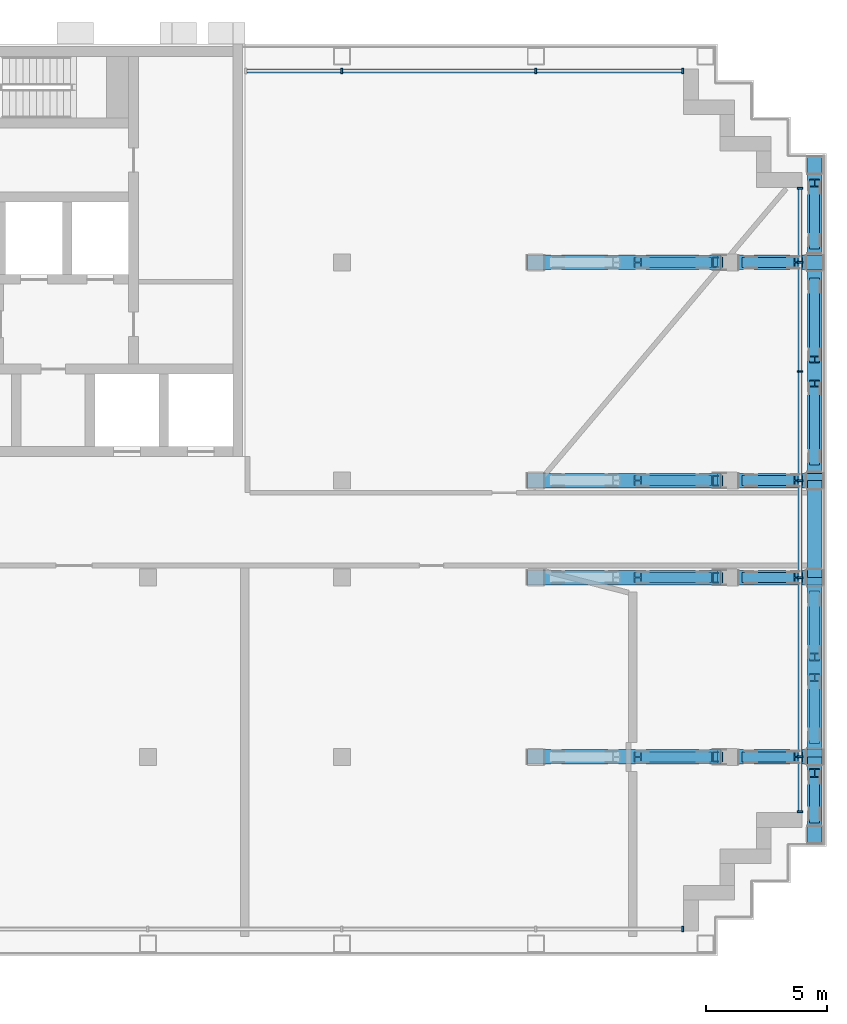
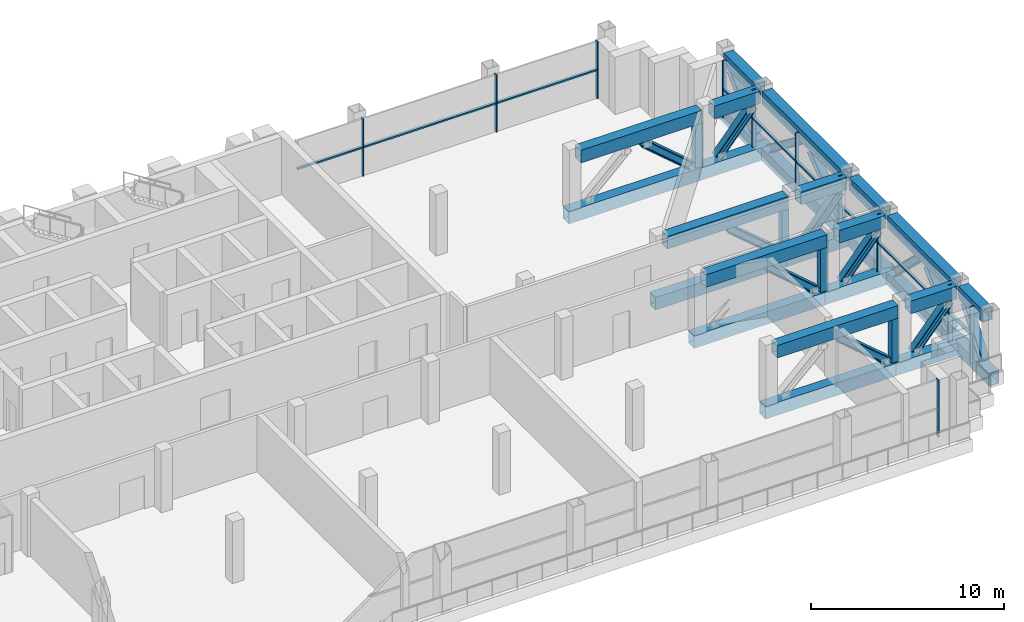
# One storey, part 5 of 21: 64 members, 3 elements without a shape of their own.
"""IFC4 building model written with IfcOpenShell, lengths in metres."""

import ifcopenshell
import ifcopenshell.guid

model = None  # the IFC model being written
_history = None  # IfcOwnerHistory: only IFC2X3 demands one
_inside = {}  # id of a spatial element -> (the spatial element, [elements in it])
_under = {}  # id of a project, library or spatial element -> (it, [spatial elements below it])
_declared = {}  # id of a project -> (the project, [libraries it declares])
_typed = {}  # id of a type object -> (the type object, [elements of that type])
_made_of = {}  # id of a material, layer set ... -> (it, [elements and type objects made of it])


def new_model(schema):
    """Start an empty IFC model of exactly this schema.

    Asked for "IFC4X3", IfcOpenShell would pick the latest addendum, in which some entities
    have other attributes; the version numbers below select the first issue.
    IFC2X3 requires an IfcOwnerHistory on every rooted entity: one is made here for all.
    """
    global model, _history
    if schema == "IFC4X3":
        model = ifcopenshell.file(schema_version=(4, 3, 0, 0))
    else:
        model = ifcopenshell.file(schema=schema)
    _inside.clear()
    _under.clear()
    _declared.clear()
    _typed.clear()
    _made_of.clear()
    _history = None
    if model.schema == "IFC2X3":
        org = make("IfcOrganization", Name="unknown")
        user = make(
            "IfcPersonAndOrganization",
            ThePerson=make("IfcPerson", FamilyName="unknown"),
            TheOrganization=org,
        )
        app = make(
            "IfcApplication",
            ApplicationDeveloper=org,
            Version="unknown",
            ApplicationFullName="unknown",
            ApplicationIdentifier="unknown",
        )
        _history = make(
            "IfcOwnerHistory",
            OwningUser=user,
            OwningApplication=app,
            ChangeAction="ADDED",
            CreationDate=0,
        )
    return model


def make(cls, **values):
    """One entity of the class cls with the attributes given. An attribute that is None is left unset."""
    return model.create_entity(
        cls, **{name: value for name, value in values.items() if value is not None}
    )


def rooted(cls, **values):
    """An entity with a GlobalId (a new one), such as an element, a storey or a relation."""
    return make(cls, GlobalId=ifcopenshell.guid.new(), OwnerHistory=_history, **values)


def si_unit(unit_type, name, prefix=None):
    """IfcSIUnit, for example si_unit("LENGTHUNIT", "METRE", prefix="MILLI")."""
    return make("IfcSIUnit", UnitType=unit_type, Prefix=prefix, Name=name)


def assignment(units):
    """IfcUnitAssignment: the units of a project."""
    return None if units is None else make("IfcUnitAssignment", Units=units)


def point(xyz):
    """IfcCartesianPoint."""
    return None if xyz is None else make("IfcCartesianPoint", Coordinates=xyz)


def direction(xyz):
    """IfcDirection."""
    return None if xyz is None else make("IfcDirection", DirectionRatios=xyz)


def frame(location, z_axis=None, x_axis=None):
    """IfcAxis2Placement3D, a coordinate frame: its origin and axes. An axis left out is left unset."""
    return make(
        "IfcAxis2Placement3D",
        Location=point(location),
        Axis=direction(z_axis),
        RefDirection=direction(x_axis),
    )


def frame_2d(location, x_axis=None):
    """IfcAxis2Placement2D, a coordinate frame in the plane: its origin and x axis."""
    return make(
        "IfcAxis2Placement2D", Location=point(location), RefDirection=direction(x_axis)
    )


def origin():
    """The frame at (0, 0, 0) with its axes left unset."""
    return frame((0.0, 0.0, 0.0))


def origin_2d():
    """The frame at (0, 0) in the plane with its x axis left unset."""
    return frame_2d((0.0, 0.0))


def place(relative_to, where):
    """IfcLocalPlacement: puts the frame where relative to a parent placement (None: the world)."""
    return make(
        "IfcLocalPlacement", PlacementRelTo=relative_to, RelativePlacement=where
    )


def context(
    kind, dimensions, precision=None, world=None, true_north=None, identifier=None
):
    """IfcGeometricRepresentationContext, for example the 3D "Model" context."""
    return make(
        "IfcGeometricRepresentationContext",
        ContextIdentifier=identifier,
        ContextType=kind,
        CoordinateSpaceDimension=dimensions,
        Precision=precision,
        WorldCoordinateSystem=world,
        TrueNorth=true_north,
    )


def subcontext(parent, identifier, kind, view, scale=None):
    """IfcGeometricRepresentationSubContext, for example "Body" below "Model"."""
    return make(
        "IfcGeometricRepresentationSubContext",
        ContextIdentifier=identifier,
        ContextType=kind,
        ParentContext=parent,
        TargetScale=scale,
        TargetView=view,
    )


def project(units=None, contexts=None):
    """IfcProject with its units and contexts."""
    return rooted(
        "IfcProject",
        Name="project",
        RepresentationContexts=contexts,
        UnitsInContext=assignment(units),
    )


def spatial(cls, under=None, at=None, **own):
    """A site, building, storey or space (cls), placed at a placement, below another one or the project."""
    s = rooted(cls, ObjectPlacement=at, **own)
    if under is not None:
        _under.setdefault(under.id(), (under, []))[1].append(s)
    return s


def profile(cls, at=None, kind="AREA", **sizes):
    """A parametric profile (cls). Its sizes go by their IFC names, for example OverallWidth=200.0."""
    return make(cls, ProfileType=kind, Position=at, **sizes)


def rectangle(**sizes):
    """IfcRectangleProfileDef."""
    return profile("IfcRectangleProfileDef", **sizes)


def hollow_rectangle(**sizes):
    """IfcRectangleHollowProfileDef."""
    return profile("IfcRectangleHollowProfileDef", **sizes)


def i_section(**sizes):
    """IfcIShapeProfileDef."""
    return profile("IfcIShapeProfileDef", **sizes)


def extrude(swept, where, along, depth):
    """IfcExtrudedAreaSolid: the profile swept, set in the frame where, extruded along a direction by depth."""
    return make(
        "IfcExtrudedAreaSolid",
        SweptArea=swept,
        Position=where,
        ExtrudedDirection=direction(along),
        Depth=depth,
    )


def shape(context_of_items, identifier, shape_type, items):
    """IfcShapeRepresentation: the items that make up one representation, for example the "Body"."""
    return make(
        "IfcShapeRepresentation",
        ContextOfItems=context_of_items,
        RepresentationIdentifier=identifier,
        RepresentationType=shape_type,
        Items=items,
    )


def material(Name=None, Category=None):
    """IfcMaterial."""
    return make("IfcMaterial", Name=Name, Category=Category)


def material_profile(
    of_material, cross_section, Name=None, Category=None, Priority=None
):
    """IfcMaterialProfile: a cross section and its material."""
    return make(
        "IfcMaterialProfile",
        Name=Name,
        Material=of_material,
        Profile=cross_section,
        Priority=Priority,
        Category=Category,
    )


def profile_set(profiles, Name=None, composite=None):
    """IfcMaterialProfileSet."""
    return make(
        "IfcMaterialProfileSet",
        Name=Name,
        MaterialProfiles=profiles,
        CompositeProfile=composite,
    )


def made_of(thing, what):
    """Note that an element or type object is made of a material, layer set ...; save() writes the relation."""
    if what is not None:
        _made_of.setdefault(what.id(), (what, []))[1].append(thing)
    return thing


def type_object(cls, material=None, **own):
    """A type object (cls), such as IfcWallType, which elements share."""
    return made_of(rooted(cls, **own), material)


def element(
    cls,
    number,
    at=None,
    inside=None,
    cuts=None,
    type_object=None,
    material=None,
    context=None,
    identifier="Body",
    shape_type=None,
    held_by="IfcProductDefinitionShape",
    body=None,
    shapes=None,
    **own,
):
    """One element of the class cls, such as IfcWall. Its Tag is "e" and its number.

    at: its placement. inside: the storey or other place that contains it. cuts: it is an
    opening in that element (IfcRelVoidsElement). A single representation is given by context,
    identifier, shape_type and body (its items); several are given by shapes. held_by: the class
    of the entity that holds the representations. save() writes the other relations.
    """
    e = rooted(cls, Tag="e%d" % number, ObjectPlacement=at, **own)
    if body is not None:
        shapes = [shape(context, identifier, shape_type, body)]
    if shapes is not None:
        e.Representation = make(held_by, Representations=shapes)
    if inside is not None:
        _inside.setdefault(inside.id(), (inside, []))[1].append(e)
    if cuts is not None:
        rooted(
            "IfcRelVoidsElement", RelatingBuildingElement=cuts, RelatedOpeningElement=e
        )
    if type_object is not None:
        _typed.setdefault(type_object.id(), (type_object, []))[1].append(e)
    return made_of(e, material)


def aggregate(whole, parts):
    """IfcRelAggregates: a whole, such as a stair, and the parts it consists of."""
    return rooted("IfcRelAggregates", RelatingObject=whole, RelatedObjects=parts)


def save(model, path):
    """Write the relations noted so far, then the file.

    IfcRelAggregates (storeys below a building ...), IfcRelContainedInSpatialStructure (elements
    in a storey), IfcRelDefinesByType, IfcRelAssociatesMaterial and IfcRelDeclares: one each for
    every whole, place, type object, material and project.
    """
    for whole, parts in _under.values():
        aggregate(whole, parts)
    for where, things in _inside.values():
        rooted(
            "IfcRelContainedInSpatialStructure",
            RelatedElements=things,
            RelatingStructure=where,
        )
    for kind, things in _typed.values():
        rooted("IfcRelDefinesByType", RelatedObjects=things, RelatingType=kind)
    for what, things in _made_of.values():
        rooted("IfcRelAssociatesMaterial", RelatedObjects=things, RelatingMaterial=what)
    for by, libraries in _declared.values():
        rooted("IfcRelDeclares", RelatingContext=by, RelatedDefinitions=libraries)
    model.write(path)


model = new_model("IFC4")

# Units and contexts
model_context = context("Model", 3, precision=1e-05, world=origin(), true_north=direction((0.0, 1.0)))
body_context = subcontext(model_context, "Body", "Model", "MODEL_VIEW")
ifc_project = project(units=[si_unit("LENGTHUNIT", "METRE"), si_unit("AREAUNIT", "SQUARE_METRE"), si_unit("VOLUMEUNIT", "CUBIC_METRE"), si_unit("PLANEANGLEUNIT", "RADIAN"), si_unit("MASSUNIT", "GRAM", prefix="KILO")], contexts=[model_context])

# Site, building, storey
site_placement = place(None, origin())
site = spatial("IfcSite", under=ifc_project, at=site_placement, CompositionType="ELEMENT")
building_placement = place(site_placement, origin())
building = spatial("IfcBuilding", under=site, at=building_placement, Name="Vidyagriha Tower", CompositionType="ELEMENT")
storey_placement = place(building_placement, frame((0.0, 0.0, 161.39990234375)))
storey = spatial("IfcBuildingStorey", under=building, at=storey_placement, Name="L41", CompositionType="ELEMENT", Elevation=161.39990234375)

# Curtain wall, members
ifc_material_1 = material(Name="Aluminium and glass curtain wall", Category="aluminium")
curtain_wall_type = type_object("IfcCurtainWallType", Name="Plant louvre wall", PredefinedType="USERDEFINED", material=ifc_material_1)
curtain_wall_1_placement = place(storey_placement, origin())
curtain_wall_1 = element("IfcCurtainWall", 1, at=curtain_wall_1_placement, inside=storey, type_object=curtain_wall_type, Name="CW7 plant louvre wall", ObjectType="STICK GLAZING", PredefinedType="USERDEFINED")
ifc_material_2 = material(Name="Aluminium black anodised", Category="aluminium")
ifc_material_profile_1 = material_profile(ifc_material_2, rectangle(XDim=0.219970703125, YDim=0.080078125, at=origin_2d()), Name="Mullion 80x220 black aluminium")
ifc_profile_set_1 = profile_set([ifc_material_profile_1], Name="Aluminium black anodised")
member_type_1 = type_object("IfcMemberType", Name="Mullion 80x220 black aluminium", PredefinedType="MULLION", material=ifc_profile_set_1)
member_1_placement = place(storey_placement, frame((32.06005859375, 18.89990234375, 0.0), z_axis=(0.0, 0.0, 1.0), x_axis=(0.0, -1.0, 0.0)))
member_1 = element("IfcMember", 2, at=member_1_placement, type_object=member_type_1, Name="CW7 mullion 1", PredefinedType="MULLION", context=body_context, shape_type="SweptSolid", body=[
    extrude(rectangle(XDim=0.219970703125, YDim=0.080078125, at=origin_2d()), origin(), (0.0, 0.0, 1.0), 3.6201171875),
])
member_2_placement = place(storey_placement, frame((26.0, 18.89990234375, 0.0), z_axis=(0.0, 0.0, 1.0), x_axis=(0.0, -1.0, 0.0)))
member_2 = element("IfcMember", 3, at=member_2_placement, type_object=member_type_1, Name="CW7 mullion 2", PredefinedType="MULLION", context=body_context, shape_type="SweptSolid", body=[
    extrude(rectangle(XDim=0.219970703125, YDim=0.080078125, at=origin_2d()), origin(), (0.0, 0.0, 1.0), 3.6201171875),
])
member_3_placement = place(storey_placement, frame((18.0, 18.89990234375, 0.0), z_axis=(0.0, 0.0, 1.0), x_axis=(0.0, -1.0, 0.0)))
member_3 = element("IfcMember", 4, at=member_3_placement, type_object=member_type_1, Name="CW7 mullion 3", PredefinedType="MULLION", context=body_context, shape_type="SweptSolid", body=[
    extrude(rectangle(XDim=0.219970703125, YDim=0.080078125, at=origin_2d()), origin(), (0.0, 0.0, 1.0), 3.6201171875),
])

# Curtain wall, member
curtain_wall_2_placement = place(storey_placement, origin())
curtain_wall_2 = element("IfcCurtainWall", 5, at=curtain_wall_2_placement, inside=storey, type_object=curtain_wall_type, Name="CW7 plant louvre wall", ObjectType="STICK GLAZING", PredefinedType="USERDEFINED")
member_4_placement = place(storey_placement, frame((32.06005859375, -16.5, 0.0), z_axis=(0.0, 0.0, 1.0), x_axis=(0.0, 1.0, 0.0)))
member_4 = element("IfcMember", 6, at=member_4_placement, type_object=member_type_1, Name="CW7 mullion 8", PredefinedType="MULLION", context=body_context, shape_type="SweptSolid", body=[
    extrude(rectangle(XDim=0.219970703125, YDim=0.080078125, at=origin_2d()), origin(), (0.0, 0.0, 1.0), 3.6201171875),
])
aggregate(curtain_wall_2, [member_4])

# Curtain wall, members
curtain_wall_3_placement = place(storey_placement, origin())
curtain_wall_3 = element("IfcCurtainWall", 7, at=curtain_wall_3_placement, inside=storey, type_object=curtain_wall_type, Name="CW7 plant louvre wall", ObjectType="STICK GLAZING", PredefinedType="USERDEFINED")
member_5_placement = place(storey_placement, frame((36.89990234375, -11.659912109375, 0.0), z_axis=(0.0, 0.0, 1.0), x_axis=(-1.0, 0.0, 0.0)))
member_5 = element("IfcMember", 8, at=member_5_placement, type_object=member_type_1, Name="CW7 mullion 1", PredefinedType="MULLION", context=body_context, shape_type="SweptSolid", body=[
    extrude(rectangle(XDim=0.219970703125, YDim=0.080078125, at=origin_2d()), origin(), (0.0, 0.0, 1.0), 3.6201171875),
])
member_6_placement = place(storey_placement, frame((36.89990234375, -9.39990234375, 0.0), z_axis=(0.0, 0.0, 1.0), x_axis=(-1.0, 0.0, 0.0)))
member_6 = element("IfcMember", 9, at=member_6_placement, type_object=member_type_1, Name="CW7 mullion 2", PredefinedType="MULLION", context=body_context, shape_type="SweptSolid", body=[
    extrude(rectangle(XDim=0.219970703125, YDim=0.080078125, at=origin_2d()), origin(), (0.0, 0.0, 1.0), 3.6201171875),
])
member_7_placement = place(storey_placement, frame((36.89990234375, -2.0, 0.0), z_axis=(0.0, 0.0, 1.0), x_axis=(-1.0, 0.0, 0.0)))
member_7 = element("IfcMember", 10, at=member_7_placement, type_object=member_type_1, Name="CW7 mullion 3", PredefinedType="MULLION", context=body_context, shape_type="SweptSolid", body=[
    extrude(rectangle(XDim=0.219970703125, YDim=0.080078125, at=origin_2d()), origin(), (0.0, 0.0, 1.0), 3.6201171875),
])
member_8_placement = place(storey_placement, frame((36.89990234375, 2.0, 0.0), z_axis=(0.0, 0.0, 1.0), x_axis=(-1.0, 0.0, 0.0)))
member_8 = element("IfcMember", 11, at=member_8_placement, type_object=member_type_1, Name="CW7 mullion 4", PredefinedType="MULLION", context=body_context, shape_type="SweptSolid", body=[
    extrude(rectangle(XDim=0.219970703125, YDim=0.080078125, at=origin_2d()), origin(), (0.0, 0.0, 1.0), 3.6201171875),
])
member_9_placement = place(storey_placement, frame((36.89990234375, 6.5, 0.0), z_axis=(0.0, 0.0, 1.0), x_axis=(-1.0, 0.0, 0.0)))
member_9 = element("IfcMember", 12, at=member_9_placement, type_object=member_type_1, Name="CW7 mullion 5", PredefinedType="MULLION", context=body_context, shape_type="SweptSolid", body=[
    extrude(rectangle(XDim=0.219970703125, YDim=0.080078125, at=origin_2d()), origin(), (0.0, 0.0, 1.0), 3.6201171875),
])
member_10_placement = place(storey_placement, frame((36.89990234375, 11.0, 0.0), z_axis=(0.0, 0.0, 1.0), x_axis=(-1.0, 0.0, 0.0)))
member_10 = element("IfcMember", 13, at=member_10_placement, type_object=member_type_1, Name="CW7 mullion 6", PredefinedType="MULLION", context=body_context, shape_type="SweptSolid", body=[
    extrude(rectangle(XDim=0.219970703125, YDim=0.080078125, at=origin_2d()), origin(), (0.0, 0.0, 1.0), 3.6201171875),
])
member_11_placement = place(storey_placement, frame((36.89990234375, 14.06005859375, 0.0), z_axis=(0.0, 0.0, 1.0), x_axis=(-1.0, 0.0, 0.0)))
member_11 = element("IfcMember", 14, at=member_11_placement, type_object=member_type_1, Name="CW7 mullion 7", PredefinedType="MULLION", context=body_context, shape_type="SweptSolid", body=[
    extrude(rectangle(XDim=0.219970703125, YDim=0.080078125, at=origin_2d()), origin(), (0.0, 0.0, 1.0), 3.6201171875),
])

# Members
ifc_material_3 = material(Name="Steel ASTM A572 Grade 50", Category="steel")
ifc_material_profile_2 = material_profile(ifc_material_3, hollow_rectangle(XDim=0.60009765625, YDim=0.800048828125, WallThickness=0.034912109375, at=origin_2d()), Name="BOX 800x600x35")
ifc_profile_set_2 = profile_set([ifc_material_profile_2], Name="Steel ASTM A572 Grade 50")
member_type_2 = type_object("IfcMemberType", Name="Transfer truss chord BOX 800x600x35", PredefinedType="CHORD", material=ifc_profile_set_2)
member_12_placement = place(storey_placement, frame((25.64990234375, -9.39990234375, -0.39990234375), z_axis=(1.0, 0.0, 0.0), x_axis=(0.0, 1.0, 0.0)))
element("IfcMember", 15, at=member_12_placement, inside=storey, type_object=member_type_2, Name="st-truss-L41-T02-B00", PredefinedType="CHORD", context=body_context, shape_type="SweptSolid", body=[
    extrude(hollow_rectangle(XDim=0.60009765625, YDim=0.800048828125, WallThickness=0.034912109375, at=origin_2d()), origin(), (0.0, 0.0, 1.0), 7.9951171875),
])
member_13_placement = place(storey_placement, frame((26.369384765625, -9.39990234375, 3.22021484375), z_axis=(1.0, 0.0, 0.0), x_axis=(0.0, 1.0, 0.0)))
element("IfcMember", 16, at=member_13_placement, inside=storey, type_object=member_type_2, Name="st-truss-L41-T02-T00", PredefinedType="CHORD", context=body_context, shape_type="SweptSolid", body=[
    extrude(hollow_rectangle(XDim=0.60009765625, YDim=0.800048828125, WallThickness=0.034912109375, at=origin_2d()), origin(), (0.0, 0.0, 1.0), 7.24560546875),
])
member_14_placement = place(storey_placement, frame((33.5, -9.39990234375, -0.39990234375), z_axis=(1.0, 0.0, 0.0), x_axis=(0.0, 1.0, 0.0)))
element("IfcMember", 17, at=member_14_placement, inside=storey, type_object=member_type_2, Name="st-truss-L41-T02-B01", PredefinedType="CHORD", context=body_context, shape_type="SweptSolid", body=[
    extrude(hollow_rectangle(XDim=0.60009765625, YDim=0.800048828125, WallThickness=0.034912109375, at=origin_2d()), origin(), (0.0, 0.0, 1.0), 4.35009765625),
])
member_15_placement = place(storey_placement, frame((34.369384765625, -9.39990234375, 3.22021484375), z_axis=(1.0, 0.0, 0.0), x_axis=(0.0, 1.0, 0.0)))
element("IfcMember", 18, at=member_15_placement, inside=storey, type_object=member_type_2, Name="st-truss-L41-T02-T02", PredefinedType="CHORD", context=body_context, shape_type="SweptSolid", body=[
    extrude(hollow_rectangle(XDim=0.60009765625, YDim=0.800048828125, WallThickness=0.034912109375, at=origin_2d()), origin(), (0.0, 0.0, 1.0), 2.76123046875),
])
member_16_placement = place(storey_placement, frame((25.64990234375, -2.0, -0.39990234375), z_axis=(1.0, 0.0, 0.0), x_axis=(0.0, 1.0, 0.0)))
element("IfcMember", 19, at=member_16_placement, inside=storey, type_object=member_type_2, Name="st-truss-L41-T04-B00", PredefinedType="CHORD", context=body_context, shape_type="SweptSolid", body=[
    extrude(hollow_rectangle(XDim=0.60009765625, YDim=0.800048828125, WallThickness=0.034912109375, at=origin_2d()), origin(), (0.0, 0.0, 1.0), 7.9951171875),
])
member_17_placement = place(storey_placement, frame((26.369384765625, -2.0, 3.22021484375), z_axis=(1.0, 0.0, 0.0), x_axis=(0.0, 1.0, 0.0)))
element("IfcMember", 20, at=member_17_placement, inside=storey, type_object=member_type_2, Name="st-truss-L41-T04-T00", PredefinedType="CHORD", context=body_context, shape_type="SweptSolid", body=[
    extrude(hollow_rectangle(XDim=0.60009765625, YDim=0.800048828125, WallThickness=0.034912109375, at=origin_2d()), origin(), (0.0, 0.0, 1.0), 7.24560546875),
])
member_18_placement = place(storey_placement, frame((33.5, -2.0, -0.39990234375), z_axis=(1.0, 0.0, 0.0), x_axis=(0.0, 1.0, 0.0)))
element("IfcMember", 21, at=member_18_placement, inside=storey, type_object=member_type_2, Name="st-truss-L41-T04-B01", PredefinedType="CHORD", context=body_context, shape_type="SweptSolid", body=[
    extrude(hollow_rectangle(XDim=0.60009765625, YDim=0.800048828125, WallThickness=0.034912109375, at=origin_2d()), origin(), (0.0, 0.0, 1.0), 4.35009765625),
])
member_19_placement = place(storey_placement, frame((34.369384765625, -2.0, 3.22021484375), z_axis=(1.0, 0.0, 0.0), x_axis=(0.0, 1.0, 0.0)))
element("IfcMember", 22, at=member_19_placement, inside=storey, type_object=member_type_2, Name="st-truss-L41-T04-T02", PredefinedType="CHORD", context=body_context, shape_type="SweptSolid", body=[
    extrude(hollow_rectangle(XDim=0.60009765625, YDim=0.800048828125, WallThickness=0.034912109375, at=origin_2d()), origin(), (0.0, 0.0, 1.0), 2.76123046875),
])
member_20_placement = place(storey_placement, frame((25.64990234375, 2.0, -0.39990234375), z_axis=(1.0, 0.0, 0.0), x_axis=(0.0, 1.0, 0.0)))
element("IfcMember", 23, at=member_20_placement, inside=storey, type_object=member_type_2, Name="st-truss-L41-T06-B00", PredefinedType="CHORD", context=body_context, shape_type="SweptSolid", body=[
    extrude(hollow_rectangle(XDim=0.60009765625, YDim=0.800048828125, WallThickness=0.034912109375, at=origin_2d()), origin(), (0.0, 0.0, 1.0), 7.9951171875),
])
member_21_placement = place(storey_placement, frame((26.369384765625, 2.0, 3.22021484375), z_axis=(1.0, 0.0, 0.0), x_axis=(0.0, 1.0, 0.0)))
element("IfcMember", 24, at=member_21_placement, inside=storey, type_object=member_type_2, Name="st-truss-L41-T06-T00", PredefinedType="CHORD", context=body_context, shape_type="SweptSolid", body=[
    extrude(hollow_rectangle(XDim=0.60009765625, YDim=0.800048828125, WallThickness=0.034912109375, at=origin_2d()), origin(), (0.0, 0.0, 1.0), 7.24560546875),
])
member_22_placement = place(storey_placement, frame((33.5, 2.0, -0.39990234375), z_axis=(1.0, 0.0, 0.0), x_axis=(0.0, 1.0, 0.0)))
element("IfcMember", 25, at=member_22_placement, inside=storey, type_object=member_type_2, Name="st-truss-L41-T06-B01", PredefinedType="CHORD", context=body_context, shape_type="SweptSolid", body=[
    extrude(hollow_rectangle(XDim=0.60009765625, YDim=0.800048828125, WallThickness=0.034912109375, at=origin_2d()), origin(), (0.0, 0.0, 1.0), 4.35009765625),
])
member_23_placement = place(storey_placement, frame((34.369384765625, 2.0, 3.22021484375), z_axis=(1.0, 0.0, 0.0), x_axis=(0.0, 1.0, 0.0)))
element("IfcMember", 26, at=member_23_placement, inside=storey, type_object=member_type_2, Name="st-truss-L41-T06-T02", PredefinedType="CHORD", context=body_context, shape_type="SweptSolid", body=[
    extrude(hollow_rectangle(XDim=0.60009765625, YDim=0.800048828125, WallThickness=0.034912109375, at=origin_2d()), origin(), (0.0, 0.0, 1.0), 2.76123046875),
])
member_24_placement = place(storey_placement, frame((25.64990234375, 11.0, -0.39990234375), z_axis=(1.0, 0.0, 0.0), x_axis=(0.0, 1.0, 0.0)))
element("IfcMember", 27, at=member_24_placement, inside=storey, type_object=member_type_2, Name="st-truss-L41-T08-B00", PredefinedType="CHORD", context=body_context, shape_type="SweptSolid", body=[
    extrude(hollow_rectangle(XDim=0.60009765625, YDim=0.800048828125, WallThickness=0.034912109375, at=origin_2d()), origin(), (0.0, 0.0, 1.0), 7.9951171875),
])
member_25_placement = place(storey_placement, frame((26.369384765625, 11.0, 3.22021484375), z_axis=(1.0, 0.0, 0.0), x_axis=(0.0, 1.0, 0.0)))
element("IfcMember", 28, at=member_25_placement, inside=storey, type_object=member_type_2, Name="st-truss-L41-T08-T00", PredefinedType="CHORD", context=body_context, shape_type="SweptSolid", body=[
    extrude(hollow_rectangle(XDim=0.60009765625, YDim=0.800048828125, WallThickness=0.034912109375, at=origin_2d()), origin(), (0.0, 0.0, 1.0), 7.24560546875),
])
member_26_placement = place(storey_placement, frame((33.5, 11.0, -0.39990234375), z_axis=(1.0, 0.0, 0.0), x_axis=(0.0, 1.0, 0.0)))
element("IfcMember", 29, at=member_26_placement, inside=storey, type_object=member_type_2, Name="st-truss-L41-T08-B01", PredefinedType="CHORD", context=body_context, shape_type="SweptSolid", body=[
    extrude(hollow_rectangle(XDim=0.60009765625, YDim=0.800048828125, WallThickness=0.034912109375, at=origin_2d()), origin(), (0.0, 0.0, 1.0), 4.35009765625),
])
member_27_placement = place(storey_placement, frame((34.369384765625, 11.0, 3.22021484375), z_axis=(1.0, 0.0, 0.0), x_axis=(0.0, 1.0, 0.0)))
element("IfcMember", 30, at=member_27_placement, inside=storey, type_object=member_type_2, Name="st-truss-L41-T08-T02", PredefinedType="CHORD", context=body_context, shape_type="SweptSolid", body=[
    extrude(hollow_rectangle(XDim=0.60009765625, YDim=0.800048828125, WallThickness=0.034912109375, at=origin_2d()), origin(), (0.0, 0.0, 1.0), 2.76123046875),
])
member_28_placement = place(storey_placement, frame((37.5, -12.949951171875, -0.39990234375), z_axis=(0.0, 1.0, 0.0), x_axis=(-1.0, 0.0, 0.0)))
element("IfcMember", 31, at=member_28_placement, inside=storey, type_object=member_type_2, Name="st-truss-L41-T11-B00", PredefinedType="CHORD", context=body_context, shape_type="SweptSolid", body=[
    extrude(hollow_rectangle(XDim=0.60009765625, YDim=0.800048828125, WallThickness=0.034912109375, at=origin_2d()), origin(), (0.0, 0.0, 1.0), 3.550048828125),
])
member_29_placement = place(storey_placement, frame((37.5, -12.23046875, 3.22021484375), z_axis=(0.0, 1.0, 0.0), x_axis=(-1.0, 0.0, 0.0)))
element("IfcMember", 32, at=member_29_placement, inside=storey, type_object=member_type_2, Name="st-truss-L41-T11-T00", PredefinedType="CHORD", context=body_context, shape_type="SweptSolid", body=[
    extrude(hollow_rectangle(XDim=0.60009765625, YDim=0.800048828125, WallThickness=0.034912109375, at=origin_2d()), origin(), (0.0, 0.0, 1.0), 2.4609375),
])
member_30_placement = place(storey_placement, frame((37.5, -9.39990234375, -0.39990234375), z_axis=(0.0, 1.0, 0.0), x_axis=(-1.0, 0.0, 0.0)))
element("IfcMember", 33, at=member_30_placement, inside=storey, type_object=member_type_2, Name="st-truss-L41-T11-B01", PredefinedType="CHORD", context=body_context, shape_type="SweptSolid", body=[
    extrude(hollow_rectangle(XDim=0.60009765625, YDim=0.800048828125, WallThickness=0.034912109375, at=origin_2d()), origin(), (0.0, 0.0, 1.0), 7.39990234375),
])
member_31_placement = place(storey_placement, frame((37.5, -9.030517578125, 3.22021484375), z_axis=(0.0, 1.0, 0.0), x_axis=(-1.0, 0.0, 0.0)))
element("IfcMember", 34, at=member_31_placement, inside=storey, type_object=member_type_2, Name="st-truss-L41-T11-T01", PredefinedType="CHORD", context=body_context, shape_type="SweptSolid", body=[
    extrude(hollow_rectangle(XDim=0.60009765625, YDim=0.800048828125, WallThickness=0.034912109375, at=origin_2d()), origin(), (0.0, 0.0, 1.0), 6.6611328125),
])
member_32_placement = place(storey_placement, frame((37.5, -2.0, -0.39990234375), z_axis=(0.0, 1.0, 0.0), x_axis=(-1.0, 0.0, 0.0)))
element("IfcMember", 35, at=member_32_placement, inside=storey, type_object=member_type_2, Name="st-truss-L41-T11-B02", PredefinedType="CHORD", context=body_context, shape_type="SweptSolid", body=[
    extrude(hollow_rectangle(XDim=0.60009765625, YDim=0.800048828125, WallThickness=0.034912109375, at=origin_2d()), origin(), (0.0, 0.0, 1.0), 4.0),
])
member_33_placement = place(storey_placement, frame((37.5, -1.630615234375, 3.22021484375), z_axis=(0.0, 1.0, 0.0), x_axis=(-1.0, 0.0, 0.0)))
element("IfcMember", 36, at=member_33_placement, inside=storey, type_object=member_type_2, Name="st-truss-L41-T11-T02", PredefinedType="CHORD", context=body_context, shape_type="SweptSolid", body=[
    extrude(hollow_rectangle(XDim=0.60009765625, YDim=0.800048828125, WallThickness=0.034912109375, at=origin_2d()), origin(), (0.0, 0.0, 1.0), 3.26123046875),
])
member_34_placement = place(storey_placement, frame((37.5, 2.0, -0.39990234375), z_axis=(0.0, 1.0, 0.0), x_axis=(-1.0, 0.0, 0.0)))
element("IfcMember", 37, at=member_34_placement, inside=storey, type_object=member_type_2, Name="st-truss-L41-T11-B03", PredefinedType="CHORD", context=body_context, shape_type="SweptSolid", body=[
    extrude(hollow_rectangle(XDim=0.60009765625, YDim=0.800048828125, WallThickness=0.034912109375, at=origin_2d()), origin(), (0.0, 0.0, 1.0), 9.0),
])
member_35_placement = place(storey_placement, frame((37.5, 2.369384765625, 3.22021484375), z_axis=(0.0, 1.0, 0.0), x_axis=(-1.0, 0.0, 0.0)))
element("IfcMember", 38, at=member_35_placement, inside=storey, type_object=member_type_2, Name="st-truss-L41-T11-T03", PredefinedType="CHORD", context=body_context, shape_type="SweptSolid", body=[
    extrude(hollow_rectangle(XDim=0.60009765625, YDim=0.800048828125, WallThickness=0.034912109375, at=origin_2d()), origin(), (0.0, 0.0, 1.0), 8.26123046875),
])
member_36_placement = place(storey_placement, frame((37.5, 11.0, -0.39990234375), z_axis=(0.0, 1.0, 0.0), x_axis=(-1.0, 0.0, 0.0)))
element("IfcMember", 39, at=member_36_placement, inside=storey, type_object=member_type_2, Name="st-truss-L41-T11-B04", PredefinedType="CHORD", context=body_context, shape_type="SweptSolid", body=[
    extrude(hollow_rectangle(XDim=0.60009765625, YDim=0.800048828125, WallThickness=0.034912109375, at=origin_2d()), origin(), (0.0, 0.0, 1.0), 4.35009765625),
])
member_37_placement = place(storey_placement, frame((37.5, 11.369384765625, 3.22021484375), z_axis=(0.0, 1.0, 0.0), x_axis=(-1.0, 0.0, 0.0)))
element("IfcMember", 40, at=member_37_placement, inside=storey, type_object=member_type_2, Name="st-truss-L41-T11-T04", PredefinedType="CHORD", context=body_context, shape_type="SweptSolid", body=[
    extrude(hollow_rectangle(XDim=0.60009765625, YDim=0.800048828125, WallThickness=0.034912109375, at=origin_2d()), origin(), (0.0, 0.0, 1.0), 3.26123046875),
])
ifc_material_4 = material(Name="Steel ASTM A913 Grade 65", Category="steel")
ifc_material_profile_3 = material_profile(ifc_material_4, i_section(OverallWidth=0.421630859375, OverallDepth=0.46484375, WebThickness=0.030029296875, FlangeThickness=0.052978515625, at=origin_2d()), Name="W14X398")
ifc_profile_set_3 = profile_set([ifc_material_profile_3], Name="Steel ASTM A913 Grade 65")
member_type_3 = type_object("IfcMemberType", Name="Transfer truss diagonal W14X398", PredefinedType="BRACE", material=ifc_profile_set_3)
member_38_placement = place(storey_placement, frame((30.206787109375, -9.39990234375, 2.643310546875), z_axis=(0.760240685723, 0.0, -0.649641516355), x_axis=(0.0, 1.0, 0.0)))
element("IfcMember", 41, at=member_38_placement, inside=storey, type_object=member_type_3, Name="st-truss-L41-T02-D001", PredefinedType="BRACE", context=body_context, shape_type="SweptSolid", body=[
    extrude(i_section(OverallWidth=0.421630859375, OverallDepth=0.46484375, WebThickness=0.030029296875, FlangeThickness=0.052978515625, at=origin_2d()), origin(), (0.0, 0.0, 1.0), 3.796875),
])
member_39_placement = place(storey_placement, frame((34.67822265625, -9.39990234375, 0.150634765625), z_axis=(0.648100412854, 0.0, 0.761554892872), x_axis=(0.0, 1.0, 0.0)))
element("IfcMember", 42, at=member_39_placement, inside=storey, type_object=member_type_3, Name="st-truss-L41-T02-D020", PredefinedType="BRACE", context=body_context, shape_type="SweptSolid", body=[
    extrude(i_section(OverallWidth=0.421630859375, OverallDepth=0.46484375, WebThickness=0.030029296875, FlangeThickness=0.052978515625, at=origin_2d()), origin(), (0.0, 0.0, 1.0), 3.307373046875),
])
member_40_placement = place(storey_placement, frame((30.206787109375, -2.0, 2.643310546875), z_axis=(0.760240685723, 0.0, -0.649641516355), x_axis=(0.0, 1.0, 0.0)))
element("IfcMember", 43, at=member_40_placement, inside=storey, type_object=member_type_3, Name="st-truss-L41-T04-D001", PredefinedType="BRACE", context=body_context, shape_type="SweptSolid", body=[
    extrude(i_section(OverallWidth=0.421630859375, OverallDepth=0.46484375, WebThickness=0.030029296875, FlangeThickness=0.052978515625, at=origin_2d()), origin(), (0.0, 0.0, 1.0), 3.796875),
])
member_41_placement = place(storey_placement, frame((34.67822265625, -2.0, 0.150634765625), z_axis=(0.648100412854, 0.0, 0.761554892872), x_axis=(0.0, 1.0, 0.0)))
element("IfcMember", 44, at=member_41_placement, inside=storey, type_object=member_type_3, Name="st-truss-L41-T04-D020", PredefinedType="BRACE", context=body_context, shape_type="SweptSolid", body=[
    extrude(i_section(OverallWidth=0.421630859375, OverallDepth=0.46484375, WebThickness=0.030029296875, FlangeThickness=0.052978515625, at=origin_2d()), origin(), (0.0, 0.0, 1.0), 3.307373046875),
])
member_42_placement = place(storey_placement, frame((30.206787109375, 2.0, 2.643310546875), z_axis=(0.760240685723, 0.0, -0.649641516355), x_axis=(0.0, 1.0, 0.0)))
element("IfcMember", 45, at=member_42_placement, inside=storey, type_object=member_type_3, Name="st-truss-L41-T06-D001", PredefinedType="BRACE", context=body_context, shape_type="SweptSolid", body=[
    extrude(i_section(OverallWidth=0.421630859375, OverallDepth=0.46484375, WebThickness=0.030029296875, FlangeThickness=0.052978515625, at=origin_2d()), origin(), (0.0, 0.0, 1.0), 3.796875),
])
member_43_placement = place(storey_placement, frame((34.67822265625, 2.0, 0.150634765625), z_axis=(0.648100412854, 0.0, 0.761554892872), x_axis=(0.0, 1.0, 0.0)))
element("IfcMember", 46, at=member_43_placement, inside=storey, type_object=member_type_3, Name="st-truss-L41-T06-D020", PredefinedType="BRACE", context=body_context, shape_type="SweptSolid", body=[
    extrude(i_section(OverallWidth=0.421630859375, OverallDepth=0.46484375, WebThickness=0.030029296875, FlangeThickness=0.052978515625, at=origin_2d()), origin(), (0.0, 0.0, 1.0), 3.307373046875),
])
member_44_placement = place(storey_placement, frame((30.206787109375, 11.0, 2.643310546875), z_axis=(0.760240685723, 0.0, -0.649641516355), x_axis=(0.0, 1.0, 0.0)))
element("IfcMember", 47, at=member_44_placement, inside=storey, type_object=member_type_3, Name="st-truss-L41-T08-D001", PredefinedType="BRACE", context=body_context, shape_type="SweptSolid", body=[
    extrude(i_section(OverallWidth=0.421630859375, OverallDepth=0.46484375, WebThickness=0.030029296875, FlangeThickness=0.052978515625, at=origin_2d()), origin(), (0.0, 0.0, 1.0), 3.796875),
])
member_45_placement = place(storey_placement, frame((34.67822265625, 11.0, 0.150634765625), z_axis=(0.648100412854, 0.0, 0.761554892872), x_axis=(0.0, 1.0, 0.0)))
element("IfcMember", 48, at=member_45_placement, inside=storey, type_object=member_type_3, Name="st-truss-L41-T08-D020", PredefinedType="BRACE", context=body_context, shape_type="SweptSolid", body=[
    extrude(i_section(OverallWidth=0.421630859375, OverallDepth=0.46484375, WebThickness=0.030029296875, FlangeThickness=0.052978515625, at=origin_2d()), origin(), (0.0, 0.0, 1.0), 3.307373046875),
])
member_46_placement = place(storey_placement, frame((37.5, -11.946533203125, 0.138916015625), z_axis=(0.0, 0.597211329132, 0.802083928499), x_axis=(-1.0, 0.0, 0.0)))
element("IfcMember", 49, at=member_46_placement, inside=storey, type_object=member_type_3, Name="st-truss-L41-T11-D000", PredefinedType="BRACE", context=body_context, shape_type="SweptSolid", body=[
    extrude(i_section(OverallWidth=0.421630859375, OverallDepth=0.46484375, WebThickness=0.030029296875, FlangeThickness=0.052978515625, at=origin_2d()), origin(), (0.0, 0.0, 1.0), 3.169921875),
])
member_47_placement = place(storey_placement, frame((37.5, -8.6787109375, 0.166748046875), z_axis=(0.0, 0.716927451047, 0.697147781992), x_axis=(-1.0, 0.0, 0.0)))
element("IfcMember", 50, at=member_47_placement, inside=storey, type_object=member_type_3, Name="st-truss-L41-T11-D010", PredefinedType="BRACE", context=body_context, shape_type="SweptSolid", body=[
    extrude(i_section(OverallWidth=0.421630859375, OverallDepth=0.46484375, WebThickness=0.030029296875, FlangeThickness=0.052978515625, at=origin_2d()), origin(), (0.0, 0.0, 1.0), 3.567138671875),
])
member_48_placement = place(storey_placement, frame((37.5, -5.27880859375, 2.653564453125), z_axis=(0.0, 0.716960712323, -0.697113575384), x_axis=(-1.0, 0.0, 0.0)))
element("IfcMember", 51, at=member_48_placement, inside=storey, type_object=member_type_3, Name="st-truss-L41-T11-D011", PredefinedType="BRACE", context=body_context, shape_type="SweptSolid", body=[
    extrude(i_section(OverallWidth=0.421630859375, OverallDepth=0.46484375, WebThickness=0.030029296875, FlangeThickness=0.052978515625, at=origin_2d()), origin(), (0.0, 0.0, 1.0), 3.5673828125),
])
for number, where, z_axis, x_axis, name in (
    (52, (37.5, 2.79248046875, 0.18505859375), (0.0, 0.795359620045, 0.606137834822), (-1.0, 0.0, 0.0), "st-truss-L41-T11-D030"),
    (53, (37.5, 6.992431640625, 2.63525390625), (0.0, 0.795359620045, -0.606137834822), (-1.0, 0.0, 0.0), "st-truss-L41-T11-D031"),
):
    element("IfcMember", number, at=place(storey_placement, frame(where, z_axis=z_axis, x_axis=x_axis)), inside=storey, type_object=member_type_3, Name=name, PredefinedType="BRACE", context=body_context, shape_type="SweptSolid", body=[
        extrude(i_section(OverallWidth=0.421630859375, OverallDepth=0.46484375, WebThickness=0.030029296875, FlangeThickness=0.052978515625, at=origin_2d()), origin(), (0.0, 0.0, 1.0), 4.042236328125),
    ])
member_49_placement = place(storey_placement, frame((37.5, 11.72119140625, 0.166748046875), z_axis=(0.0, 0.716960712323, 0.697113575384), x_axis=(-1.0, 0.0, 0.0)))
element("IfcMember", 54, at=member_49_placement, inside=storey, type_object=member_type_3, Name="st-truss-L41-T11-D040", PredefinedType="BRACE", context=body_context, shape_type="SweptSolid", body=[
    extrude(i_section(OverallWidth=0.421630859375, OverallDepth=0.46484375, WebThickness=0.030029296875, FlangeThickness=0.052978515625, at=origin_2d()), origin(), (0.0, 0.0, 1.0), 3.5673828125),
])
ifc_material_5 = material(Name="Steel ASTM A500 Grade C", Category="steel")
ifc_material_profile_4 = material_profile(ifc_material_5, hollow_rectangle(XDim=0.406494140625, YDim=0.406494140625, WallThickness=0.017822265625, at=origin_2d()), Name="HSS16X16X3/4")
ifc_profile_set_4 = profile_set([ifc_material_profile_4], Name="Steel ASTM A500 Grade C")
member_type_4 = type_object("IfcMemberType", Name="Transfer truss post HSS16X16X3/4", PredefinedType="POST", material=ifc_profile_set_4)
for number, where, name in (
    (55, (33.5, -9.39990234375, 0.0), "st-truss-L41-T02-P01"),
    (56, (33.5, -2.0, 0.0), "st-truss-L41-T04-P01"),
    (57, (33.5, 2.0, 0.0), "st-truss-L41-T06-P01"),
    (58, (33.5, 11.0, 0.0), "st-truss-L41-T08-P01"),
):
    element("IfcMember", number, at=place(storey_placement, frame(where)), inside=storey, type_object=member_type_4, Name=name, PredefinedType="POST", context=body_context, shape_type="SweptSolid", body=[
        extrude(hollow_rectangle(XDim=0.406494140625, YDim=0.406494140625, WallThickness=0.017822265625, at=origin_2d()), origin(), (0.0, 0.0, 1.0), 2.820068359375),
    ])

# Member
ifc_material_6 = material(Name="Aluminium black anodised", Category="aluminium")
ifc_material_profile_5 = material_profile(ifc_material_6, rectangle(XDim=0.159912109375, YDim=0.10009765625, at=origin_2d()), Name="Transom 100x160 black aluminium")
ifc_profile_set_5 = profile_set([ifc_material_profile_5], Name="Aluminium black anodised")
member_type_5 = type_object("IfcMemberType", Name="Transom 100x160 black aluminium", PredefinedType="USERDEFINED", material=ifc_profile_set_5)
member_50_placement = place(storey_placement, frame((32.02001953125, 18.89990234375, 1.81005859375), z_axis=(-1.0, 0.0, 0.0), x_axis=(0.0, -1.0, 0.0)))
member_50 = element("IfcMember", 59, at=member_50_placement, type_object=member_type_5, Name="CW7 transom 1.1", ObjectType="TRANSOM", PredefinedType="USERDEFINED", context=body_context, shape_type="SweptSolid", body=[
    extrude(rectangle(XDim=0.159912109375, YDim=0.10009765625, at=origin_2d()), origin(), (0.0, 0.0, 1.0), 5.97998046875),
])

member_51_placement = place(storey_placement, frame((25.9599609375, 18.89990234375, 1.81005859375), z_axis=(-1.0, 0.0, 0.0), x_axis=(0.0, -1.0, 0.0)))
member_51 = element("IfcMember", 60, at=member_51_placement, type_object=member_type_5, Name="CW7 transom 2.1", ObjectType="TRANSOM", PredefinedType="USERDEFINED", context=body_context, shape_type="SweptSolid", body=[
    extrude(rectangle(XDim=0.159912109375, YDim=0.10009765625, at=origin_2d()), origin(), (0.0, 0.0, 1.0), 7.919921875),
])

member_52_placement = place(storey_placement, frame((17.9599609375, 18.89990234375, 1.81005859375), z_axis=(-1.0, 0.0, 0.0), x_axis=(0.0, -1.0, 0.0)))
member_52 = element("IfcMember", 61, at=member_52_placement, type_object=member_type_5, Name="CW7 transom 3.1", ObjectType="TRANSOM", PredefinedType="USERDEFINED", context=body_context, shape_type="SweptSolid", body=[
    extrude(rectangle(XDim=0.159912109375, YDim=0.10009765625, at=origin_2d()), origin(), (0.0, 0.0, 1.0), 3.8798828125),
])

aggregate(curtain_wall_1, [member_1, member_2, member_3, member_50, member_51, member_52])

member_53_placement = place(storey_placement, frame((36.89990234375, -11.6201171875, 1.81005859375), z_axis=(0.0, 1.0, 0.0), x_axis=(-1.0, 0.0, 0.0)))
member_53 = element("IfcMember", 62, at=member_53_placement, type_object=member_type_5, Name="CW7 transom 1.1", ObjectType="TRANSOM", PredefinedType="USERDEFINED", context=body_context, shape_type="SweptSolid", body=[
    extrude(rectangle(XDim=0.159912109375, YDim=0.10009765625, at=origin_2d()), origin(), (0.0, 0.0, 1.0), 2.18017578125),
])

member_54_placement = place(storey_placement, frame((36.89990234375, -9.360107421875, 1.81005859375), z_axis=(0.0, 1.0, 0.0), x_axis=(-1.0, 0.0, 0.0)))
member_54 = element("IfcMember", 63, at=member_54_placement, type_object=member_type_5, Name="CW7 transom 2.1", ObjectType="TRANSOM", PredefinedType="USERDEFINED", context=body_context, shape_type="SweptSolid", body=[
    extrude(rectangle(XDim=0.159912109375, YDim=0.10009765625, at=origin_2d()), origin(), (0.0, 0.0, 1.0), 7.320068359375),
])

member_55_placement = place(storey_placement, frame((36.89990234375, -1.9599609375, 1.81005859375), z_axis=(0.0, 1.0, 0.0), x_axis=(-1.0, 0.0, 0.0)))
member_55 = element("IfcMember", 64, at=member_55_placement, type_object=member_type_5, Name="CW7 transom 3.1", ObjectType="TRANSOM", PredefinedType="USERDEFINED", context=body_context, shape_type="SweptSolid", body=[
    extrude(rectangle(XDim=0.159912109375, YDim=0.10009765625, at=origin_2d()), origin(), (0.0, 0.0, 1.0), 3.919921875),
])

member_56_placement = place(storey_placement, frame((36.89990234375, 2.0400390625, 1.81005859375), z_axis=(0.0, 1.0, 0.0), x_axis=(-1.0, 0.0, 0.0)))
member_56 = element("IfcMember", 65, at=member_56_placement, type_object=member_type_5, Name="CW7 transom 4.1", ObjectType="TRANSOM", PredefinedType="USERDEFINED", context=body_context, shape_type="SweptSolid", body=[
    extrude(rectangle(XDim=0.159912109375, YDim=0.10009765625, at=origin_2d()), origin(), (0.0, 0.0, 1.0), 4.419921875),
])

member_57_placement = place(storey_placement, frame((36.89990234375, 6.5400390625, 1.81005859375), z_axis=(0.0, 1.0, 0.0), x_axis=(-1.0, 0.0, 0.0)))
member_57 = element("IfcMember", 66, at=member_57_placement, type_object=member_type_5, Name="CW7 transom 5.1", ObjectType="TRANSOM", PredefinedType="USERDEFINED", context=body_context, shape_type="SweptSolid", body=[
    extrude(rectangle(XDim=0.159912109375, YDim=0.10009765625, at=origin_2d()), origin(), (0.0, 0.0, 1.0), 4.419921875),
])

member_58_placement = place(storey_placement, frame((36.89990234375, 11.0400390625, 1.81005859375), z_axis=(0.0, 1.0, 0.0), x_axis=(-1.0, 0.0, 0.0)))
member_58 = element("IfcMember", 67, at=member_58_placement, type_object=member_type_5, Name="CW7 transom 6.1", ObjectType="TRANSOM", PredefinedType="USERDEFINED", context=body_context, shape_type="SweptSolid", body=[
    extrude(rectangle(XDim=0.159912109375, YDim=0.10009765625, at=origin_2d()), origin(), (0.0, 0.0, 1.0), 2.97998046875),
])

aggregate(curtain_wall_3, [member_5, member_6, member_7, member_8, member_9, member_10, member_11, member_53, member_54, member_55, member_56, member_57, member_58])

save(model, "model.ifc")
